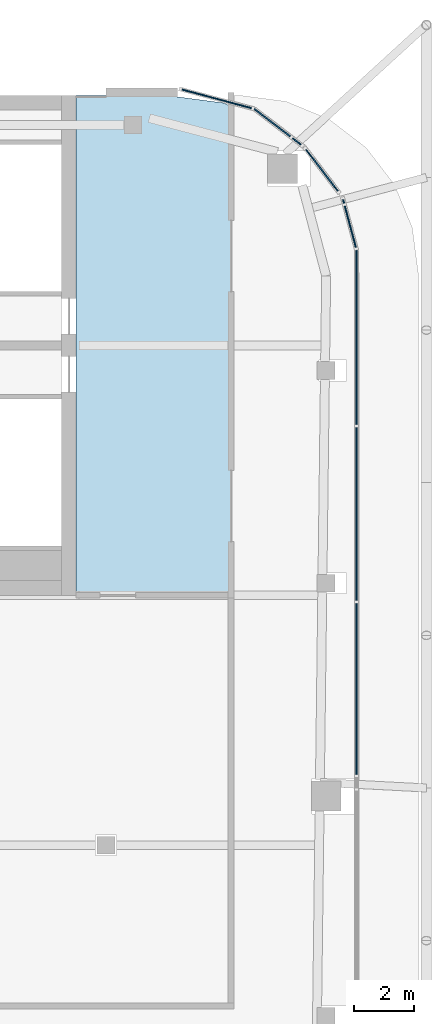
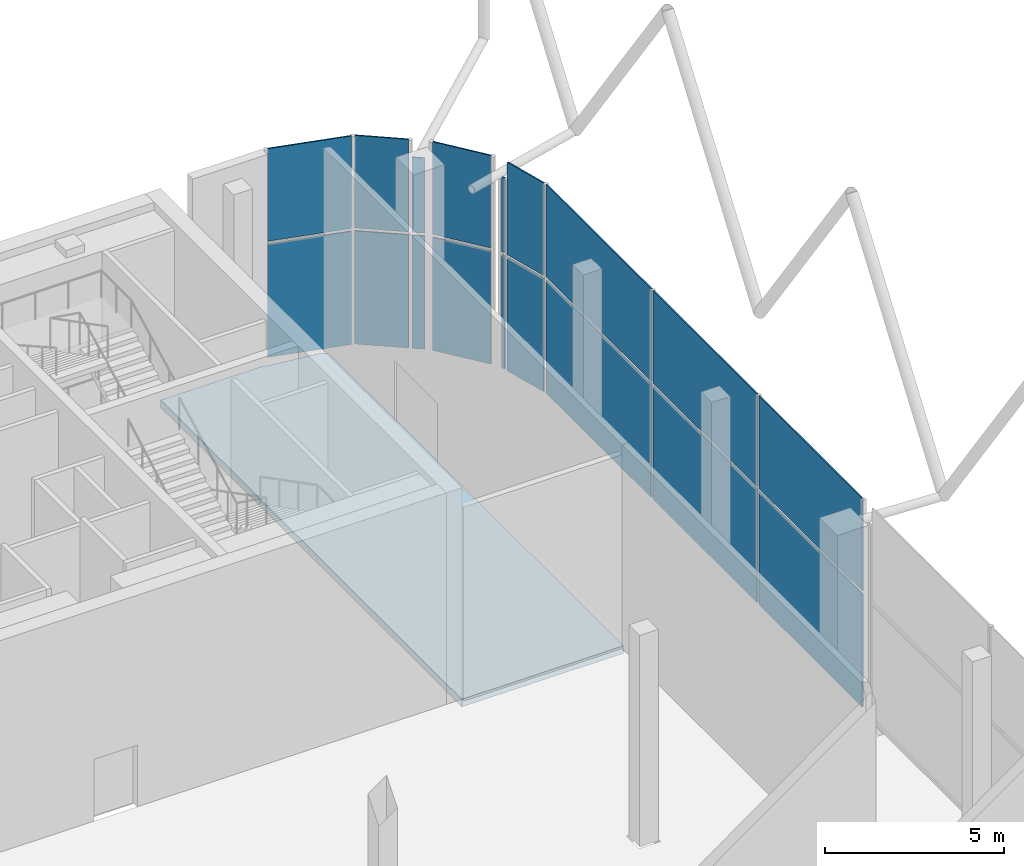
# One storey, part 19 of 25: 18 plates, 1 slab, 7 elements without a shape of their own.
"""IFC4 building model written with IfcOpenShell, lengths in metres."""

from ifc_helpers import new_model, si_unit, direction, frame, origin, origin_2d, place, context, subcontext, project, spatial, polyline, rectangle, outline, extrude, material, layer, layer_set, type_object, element, aggregate, save


model = new_model("IFC4")

# Units and contexts
model_context = context("Model", 3, precision=1e-05, world=origin(), true_north=direction((0.0, 1.0)))
body_context = subcontext(model_context, "Body", "Model", "MODEL_VIEW")
ifc_project = project(units=[si_unit("LENGTHUNIT", "METRE"), si_unit("AREAUNIT", "SQUARE_METRE"), si_unit("VOLUMEUNIT", "CUBIC_METRE"), si_unit("PLANEANGLEUNIT", "RADIAN"), si_unit("MASSUNIT", "GRAM", prefix="KILO")], contexts=[model_context])

# Site, building, storey
site_placement = place(None, origin())
site = spatial("IfcSite", under=ifc_project, at=site_placement, CompositionType="ELEMENT")
building_placement = place(site_placement, origin())
building = spatial("IfcBuilding", under=site, at=building_placement, Name="Marenta Gate Hotel Tower", CompositionType="ELEMENT")
storey_placement = place(building_placement, frame((0.0, 0.0, 281.300048828125)))
storey = spatial("IfcBuildingStorey", under=building, at=storey_placement, Name="L65", CompositionType="ELEMENT", Elevation=281.300048828125)

# Slab
ifc_material_1 = material(Name="Concrete C40", Category="concrete")
ifc_layer_1 = layer(ifc_material_1, 0.260009765625)
ifc_layer_set_1 = layer_set([ifc_layer_1], Name="Concrete C40")
slab_type = type_object("IfcSlabType", Name="Core floor slab 260", PredefinedType="FLOOR", material=ifc_layer_set_1)
slab_placement = place(storey_placement, frame((0.0, 0.0, -0.260009765625)))
element("IfcSlab", 1, at=slab_placement, inside=storey, type_object=slab_type, Name="L65-CF-1", PredefinedType="FLOOR", context=body_context, shape_type="SweptSolid", body=[
    extrude(outline(polyline([(11.60009765625, 16.800048828125), (14.949951171875, 16.800048828125), (14.9501953125, 16.7958984375), (14.95068359375, 16.791259765625), (14.951904296875, 16.786376953125), (14.953369140625, 16.78173828125), (14.955322265625, 16.77734375), (14.957763671875, 16.773193359375), (14.960693359375, 16.769287109375), (14.9638671875, 16.765625), (14.96728515625, 16.76220703125), (14.97119140625, 16.75927734375), (14.97509765625, 16.756591796875), (14.9794921875, 16.75439453125), (14.984130859375, 16.752685546875), (14.98876953125, 16.751220703125), (14.993408203125, 16.75048828125), (16.539794921875, 16.546875), (16.800048828125, 16.439208984375), (16.800048828125, 0.0), (11.60009765625, 0.0), (11.60009765625, 16.800048828125)])), origin(), (0.0, 0.0, 1.0), 0.260009765625),
])

# Curtain wall, plates
ifc_material_2 = material(Name="Tinted insulated glass in bronze anodised frame", Category="glass")
ifc_layer_2 = layer(ifc_material_2, 0.139892578125)
ifc_layer_set_2 = layer_set([ifc_layer_2], Name="Tinted insulated glass in bronze anodised frame")
curtain_wall_type = type_object("IfcCurtainWallType", Name="Observation deck structural glazing CW3", PredefinedType="NOTDEFINED", material=ifc_layer_set_2)
curtain_wall_1_placement = place(storey_placement, origin())
curtain_wall_1 = element("IfcCurtainWall", 2, at=curtain_wall_1_placement, inside=storey, type_object=curtain_wall_type, Name="CW3 run G35", PredefinedType="NOTDEFINED")
ifc_material_3 = material(Name="Tinted insulated glass", Category="glass")
ifc_layer_3 = layer(ifc_material_3, 0.0439453125)
ifc_layer_set_3 = layer_set([ifc_layer_3], Name="Tinted insulated glass")
plate_type = type_object("IfcPlateType", Name="Glass panel CW3 44 mm tinted insulated unit", PredefinedType="CURTAIN_PANEL", material=ifc_layer_set_3)
plate_1_placement = place(storey_placement, frame((21.02392578125, -3.149169921875, 0.099853515625), z_axis=(0.0, 0.0, 1.0), x_axis=(0.0, 1.0, 0.0)))
plate_1 = element("IfcPlate", 3, at=plate_1_placement, type_object=plate_type, Name="CW3 panel 1.1", PredefinedType="CURTAIN_PANEL", context=body_context, shape_type="SweptSolid", body=[
    extrude(rectangle(XDim=5.7568359375, YDim=0.0439453125, at=origin_2d()), origin(), (0.0, 0.0, 1.0), 3.85009765625),
])
plate_2_placement = place(storey_placement, frame((21.02392578125, -3.149169921875, 4.050048828125), z_axis=(0.0, 0.0, 1.0), x_axis=(0.0, 1.0, 0.0)))
plate_2 = element("IfcPlate", 4, at=plate_2_placement, type_object=plate_type, Name="CW3 panel 1.2", PredefinedType="CURTAIN_PANEL", context=body_context, shape_type="SweptSolid", body=[
    extrude(rectangle(XDim=5.7568359375, YDim=0.0439453125, at=origin_2d()), origin(), (0.0, 0.0, 1.0), 3.14990234375),
])
plate_3_placement = place(storey_placement, frame((21.02392578125, 2.73291015625, 0.099853515625), z_axis=(0.0, 0.0, 1.0), x_axis=(0.0, 1.0, 0.0)))
plate_3 = element("IfcPlate", 5, at=plate_3_placement, type_object=plate_type, Name="CW3 panel 2.1", PredefinedType="CURTAIN_PANEL", context=body_context, shape_type="SweptSolid", body=[
    extrude(rectangle(XDim=5.806884765625, YDim=0.0439453125, at=origin_2d()), origin(), (0.0, 0.0, 1.0), 3.85009765625),
])
plate_4_placement = place(storey_placement, frame((21.02392578125, 2.73291015625, 4.050048828125), z_axis=(0.0, 0.0, 1.0), x_axis=(0.0, 1.0, 0.0)))
plate_4 = element("IfcPlate", 6, at=plate_4_placement, type_object=plate_type, Name="CW3 panel 2.2", PredefinedType="CURTAIN_PANEL", context=body_context, shape_type="SweptSolid", body=[
    extrude(rectangle(XDim=5.806884765625, YDim=0.0439453125, at=origin_2d()), origin(), (0.0, 0.0, 1.0), 3.14990234375),
])
plate_5_placement = place(storey_placement, frame((21.02392578125, 8.664794921875, 0.099853515625), z_axis=(0.0, 0.0, 1.0), x_axis=(0.0, 1.0, 0.0)))
plate_5 = element("IfcPlate", 7, at=plate_5_placement, type_object=plate_type, Name="CW3 panel 3.1", PredefinedType="CURTAIN_PANEL", context=body_context, shape_type="SweptSolid", body=[
    extrude(rectangle(XDim=5.85693359375, YDim=0.0439453125, at=origin_2d()), origin(), (0.0, 0.0, 1.0), 3.85009765625),
])
plate_6_placement = place(storey_placement, frame((21.02392578125, 8.664794921875, 4.050048828125), z_axis=(0.0, 0.0, 1.0), x_axis=(0.0, 1.0, 0.0)))
plate_6 = element("IfcPlate", 8, at=plate_6_placement, type_object=plate_type, Name="CW3 panel 3.2", PredefinedType="CURTAIN_PANEL", context=body_context, shape_type="SweptSolid", body=[
    extrude(rectangle(XDim=5.85693359375, YDim=0.0439453125, at=origin_2d()), origin(), (0.0, 0.0, 1.0), 3.14990234375),
])
aggregate(curtain_wall_1, [plate_1, plate_2, plate_3, plate_4, plate_5, plate_6])

curtain_wall_2_placement = place(storey_placement, origin())
curtain_wall_2 = element("IfcCurtainWall", 9, at=curtain_wall_2_placement, inside=storey, type_object=curtain_wall_type, Name="CW3 run G36", PredefinedType="NOTDEFINED")
plate_7_placement = place(storey_placement, frame((20.811767578125, 12.38525390625, 0.099853515625), z_axis=(0.0, 0.0, 1.0), x_axis=(-0.258773953666, 0.965937907375, 0.0)))
plate_7 = element("IfcPlate", 10, at=plate_7_placement, type_object=plate_type, Name="CW3 panel 1.1", PredefinedType="CURTAIN_PANEL", context=body_context, shape_type="SweptSolid", body=[
    extrude(rectangle(XDim=1.43994140625, YDim=0.0439453125, at=origin_2d()), origin(), (0.0, 0.0, 1.0), 3.85009765625),
])
plate_8_placement = place(storey_placement, frame((20.811767578125, 12.38525390625, 4.050048828125), z_axis=(0.0, 0.0, 1.0), x_axis=(-0.258773953666, 0.965937907375, 0.0)))
plate_8 = element("IfcPlate", 11, at=plate_8_placement, type_object=plate_type, Name="CW3 panel 1.2", PredefinedType="CURTAIN_PANEL", context=body_context, shape_type="SweptSolid", body=[
    extrude(rectangle(XDim=1.43994140625, YDim=0.0439453125, at=origin_2d()), origin(), (0.0, 0.0, 1.0), 3.14990234375),
])
aggregate(curtain_wall_2, [plate_7, plate_8])

curtain_wall_3_placement = place(storey_placement, origin())
curtain_wall_3 = element("IfcCurtainWall", 12, at=curtain_wall_3_placement, inside=storey, type_object=curtain_wall_type, Name="CW3 run G37", PredefinedType="NOTDEFINED")
plate_9_placement = place(storey_placement, frame((20.58447265625, 13.23388671875, 0.099853515625), z_axis=(0.0, 0.0, 1.0), x_axis=(-0.25889896177, 0.965904409139, 0.0)))
plate_9 = element("IfcPlate", 13, at=plate_9_placement, type_object=plate_type, Name="CW3 panel 1.1", PredefinedType="CURTAIN_PANEL", context=body_context, shape_type="SweptSolid", body=[
    extrude(rectangle(XDim=0.1171875, YDim=0.0439453125, at=origin_2d()), origin(), (0.0, 0.0, 1.0), 3.85009765625),
])
plate_10_placement = place(storey_placement, frame((20.58447265625, 13.23388671875, 4.0498046875), z_axis=(0.0, 0.0, 1.0), x_axis=(-0.25889896177, 0.965904409139, 0.0)))
plate_10 = element("IfcPlate", 14, at=plate_10_placement, type_object=plate_type, Name="CW3 panel 1.2", PredefinedType="CURTAIN_PANEL", context=body_context, shape_type="SweptSolid", body=[
    extrude(rectangle(XDim=0.1171875, YDim=0.0439453125, at=origin_2d()), origin(), (0.0, 0.0, 1.0), 2.550537109375),
])
aggregate(curtain_wall_3, [plate_9, plate_10])

curtain_wall_4_placement = place(storey_placement, origin())
curtain_wall_4 = element("IfcCurtainWall", 15, at=curtain_wall_4_placement, inside=storey, type_object=curtain_wall_type, Name="CW3 run G38", PredefinedType="NOTDEFINED")
plate_11_placement = place(storey_placement, frame((19.856689453125, 14.28173828125, 0.099853515625), z_axis=(0.0, 0.0, 1.0), x_axis=(-0.608830724739, 0.793300162999, 0.0)))
plate_11 = element("IfcPlate", 16, at=plate_11_placement, type_object=plate_type, Name="CW3 panel 1.1", PredefinedType="CURTAIN_PANEL", context=body_context, shape_type="SweptSolid", body=[
    extrude(rectangle(XDim=1.76123046875, YDim=0.0439453125, at=origin_2d()), origin(), (0.0, 0.0, 1.0), 3.85009765625),
])
plate_12_placement = place(storey_placement, frame((19.856689453125, 14.28173828125, 4.050048828125), z_axis=(0.0, 0.0, 1.0), x_axis=(-0.608830724739, 0.793300162999, 0.0)))
plate_12 = element("IfcPlate", 17, at=plate_12_placement, type_object=plate_type, Name="CW3 panel 1.2", PredefinedType="CURTAIN_PANEL", context=body_context, shape_type="SweptSolid", body=[
    extrude(rectangle(XDim=1.76123046875, YDim=0.0439453125, at=origin_2d()), origin(), (0.0, 0.0, 1.0), 3.14990234375),
])
aggregate(curtain_wall_4, [plate_11, plate_12])

curtain_wall_5_placement = place(storey_placement, origin())
curtain_wall_5 = element("IfcCurtainWall", 18, at=curtain_wall_5_placement, inside=storey, type_object=curtain_wall_type, Name="CW3 run G39", PredefinedType="NOTDEFINED")
plate_13_placement = place(storey_placement, frame((19.01171875, 15.25, 0.099853515625), z_axis=(0.0, 0.0, 1.0), x_axis=(-0.793245837025, 0.608901504385, 0.0)))
plate_13 = element("IfcPlate", 19, at=plate_13_placement, type_object=plate_type, Name="CW3 panel 1.1", PredefinedType="CURTAIN_PANEL", context=body_context, shape_type="SweptSolid", body=[
    extrude(rectangle(XDim=0.360107421875, YDim=0.0439453125, at=origin_2d()), origin(), (0.0, 0.0, 1.0), 3.85009765625),
])
plate_14_placement = place(storey_placement, frame((19.01171875, 15.25, 4.0498046875), z_axis=(0.0, 0.0, 1.0), x_axis=(-0.793245837025, 0.608901504385, 0.0)))
plate_14 = element("IfcPlate", 20, at=plate_14_placement, type_object=plate_type, Name="CW3 panel 1.2", PredefinedType="CURTAIN_PANEL", context=body_context, shape_type="SweptSolid", body=[
    extrude(rectangle(XDim=0.360107421875, YDim=0.0439453125, at=origin_2d()), origin(), (0.0, 0.0, 1.0), 2.550537109375),
])
aggregate(curtain_wall_5, [plate_13, plate_14])

curtain_wall_6_placement = place(storey_placement, origin())
curtain_wall_6 = element("IfcCurtainWall", 21, at=curtain_wall_6_placement, inside=storey, type_object=curtain_wall_type, Name="CW3 run G40", PredefinedType="NOTDEFINED")
plate_15_placement = place(storey_placement, frame((18.188232421875, 15.8818359375, 0.099853515625), z_axis=(0.0, 0.0, 1.0), x_axis=(-0.793327397475, 0.608795236853, 0.0)))
plate_15 = element("IfcPlate", 22, at=plate_15_placement, type_object=plate_type, Name="CW3 panel 1.1", PredefinedType="CURTAIN_PANEL", context=body_context, shape_type="SweptSolid", body=[
    extrude(rectangle(XDim=1.51611328125, YDim=0.0439453125, at=origin_2d()), origin(), (0.0, 0.0, 1.0), 3.85009765625),
])
plate_16_placement = place(storey_placement, frame((18.188232421875, 15.8818359375, 4.050048828125), z_axis=(0.0, 0.0, 1.0), x_axis=(-0.793327397475, 0.608795236853, 0.0)))
plate_16 = element("IfcPlate", 23, at=plate_16_placement, type_object=plate_type, Name="CW3 panel 1.2", PredefinedType="CURTAIN_PANEL", context=body_context, shape_type="SweptSolid", body=[
    extrude(rectangle(XDim=1.51611328125, YDim=0.0439453125, at=origin_2d()), origin(), (0.0, 0.0, 1.0), 3.14990234375),
])
aggregate(curtain_wall_6, [plate_15, plate_16])

curtain_wall_7_placement = place(storey_placement, origin())
curtain_wall_7 = element("IfcCurtainWall", 24, at=curtain_wall_7_placement, inside=storey, type_object=curtain_wall_type, Name="CW3 run G41", PredefinedType="NOTDEFINED")
plate_17_placement = place(storey_placement, frame((16.322998046875, 16.68212890625, 0.099853515625), z_axis=(0.0, 0.0, 1.0), x_axis=(-0.965930484365, 0.258801660301, 0.0)))
plate_17 = element("IfcPlate", 25, at=plate_17_placement, type_object=plate_type, Name="CW3 panel 1.1", PredefinedType="CURTAIN_PANEL", context=body_context, shape_type="SweptSolid", body=[
    extrude(rectangle(XDim=2.4169921875, YDim=0.0439453125, at=origin_2d()), origin(), (0.0, 0.0, 1.0), 3.85009765625),
])
plate_18_placement = place(storey_placement, frame((16.322998046875, 16.68212890625, 4.050048828125), z_axis=(0.0, 0.0, 1.0), x_axis=(-0.965930484365, 0.258801660301, 0.0)))
plate_18 = element("IfcPlate", 26, at=plate_18_placement, type_object=plate_type, Name="CW3 panel 1.2", PredefinedType="CURTAIN_PANEL", context=body_context, shape_type="SweptSolid", body=[
    extrude(rectangle(XDim=2.4169921875, YDim=0.0439453125, at=origin_2d()), origin(), (0.0, 0.0, 1.0), 3.14990234375),
])
aggregate(curtain_wall_7, [plate_17, plate_18])

save(model, "model.ifc")
